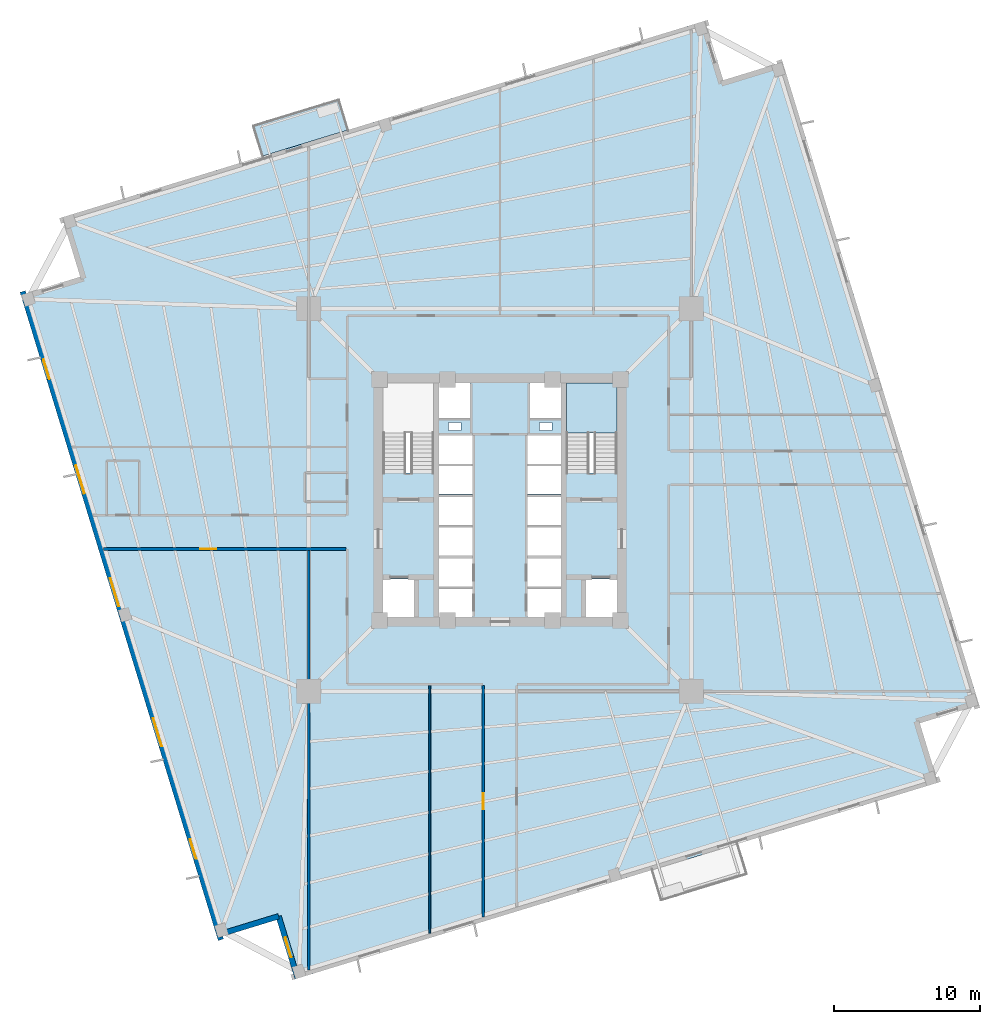
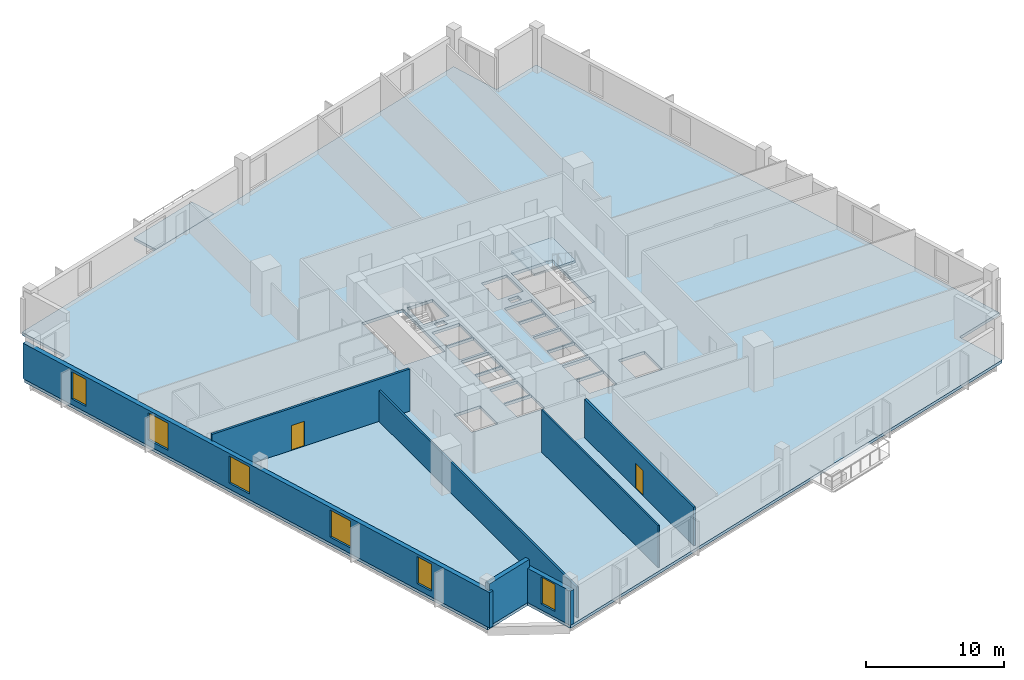
# One storey, part 2 of 8: 7 walls, 6 windows, 3 slabs, 2 doors, 8 openings, 1 element without a shape of its own.
"""IFC4 building model written with IfcOpenShell, lengths in metres."""

from ifc_helpers import new_model, si_unit, direction, frame, frame_2d, origin, place, context, subcontext, project, spatial, polyline, rectangle, outline, extrude, source, transform, mapped, material, layer, layer_set, type_object, element, fill, aggregate, save


model = new_model("IFC4")

# Units and contexts
model_context = context("Model", 3, precision=1e-05, world=origin(), true_north=direction((0.0, 1.0)))
body_context = subcontext(model_context, "Body", "Model", "MODEL_VIEW")
ifc_project = project(units=[si_unit("LENGTHUNIT", "METRE"), si_unit("AREAUNIT", "SQUARE_METRE"), si_unit("VOLUMEUNIT", "CUBIC_METRE"), si_unit("PLANEANGLEUNIT", "RADIAN"), si_unit("MASSUNIT", "GRAM", prefix="KILO"), si_unit("THERMODYNAMICTEMPERATUREUNIT", "KELVIN")], contexts=[model_context])

# Site, building, storey
site_placement = place(None, origin())
site = spatial("IfcSite", under=ifc_project, at=site_placement, CompositionType="ELEMENT")
building_placement = place(site_placement, origin())
building = spatial("IfcBuilding", under=site, at=building_placement, Name="Kosmvard Interchange Tower", CompositionType="ELEMENT")
storey_placement = place(building_placement, frame((0.0, 0.0, 123.199951171875)))
storey = spatial("IfcBuildingStorey", under=building, at=storey_placement, Name="L29", CompositionType="ELEMENT", Elevation=123.199951171875)

# Slab
ifc_material_1 = material(Name="Concrete C50/60", Category="concrete")
ifc_layer_1 = layer(ifc_material_1, 0.260009765625, Name="Concrete C50/60")
ifc_layer_set_1 = layer_set([ifc_layer_1], Name="Concrete C50/60")
slab_type_1 = type_object("IfcSlabType", Name="Mid-Rise Office Composite Slab 260 C50/60", PredefinedType="FLOOR", material=ifc_layer_set_1)
slab_1_placement = place(storey_placement, frame((0.0, 0.0, -0.260009765625)))
element("IfcSlab", 1, at=slab_1_placement, inside=storey, type_object=slab_type_1, Name="L29 Structural Floor Slab", PredefinedType="FLOOR", context=body_context, shape_type="SweptSolid", body=[
    extrude(outline(polyline([(-14.02783203125, -32.783935546875), (29.962158203125, -19.334716796875), (28.719482421875, -15.2705078125), (32.783935546875, -14.02783203125), (19.334716796875, 29.962158203125), (15.2705078125, 28.719482421875), (14.02783203125, 32.783935546875), (-29.962158203125, 19.334716796875), (-28.719482421875, 15.2705078125), (-32.783935546875, 14.02783203125), (-19.334716796875, -29.962158203125), (-15.2705078125, -28.719482421875), (-14.02783203125, -32.783935546875)]), holes=[polyline([(-8.0, 1.8349609375), (-4.5400390625, 1.8349609375), (-4.5400390625, 8.0), (-8.0, 8.0), (-8.0, 1.8349609375)]), polyline([(4.5400390625, 1.8349609375), (8.0, 1.8349609375), (8.0, 8.0), (4.5400390625, 8.0), (4.5400390625, 1.8349609375)]), polyline([(-8.0, -8.0), (-5.800048828125, -8.0), (-5.800048828125, -5.39990234375), (-8.0, -5.39990234375), (-8.0, -8.0)]), polyline([(5.800048828125, -8.0), (8.0, -8.0), (8.0, -5.39990234375), (5.800048828125, -5.39990234375), (5.800048828125, -8.0)]), polyline([(-4.179931640625, -8.0), (-1.8798828125, -8.0), (-1.8798828125, -6.06005859375), (-4.179931640625, -6.06005859375), (-4.179931640625, -8.0)]), polyline([(-4.179931640625, -5.93994140625), (-1.8798828125, -5.93994140625), (-1.8798828125, -4.0), (-4.179931640625, -4.0), (-4.179931640625, -5.93994140625)]), polyline([(1.8798828125, -8.0), (4.179931640625, -8.0), (4.179931640625, -6.06005859375), (1.8798828125, -6.06005859375), (1.8798828125, -8.0)]), polyline([(1.8798828125, -5.93994140625), (4.179931640625, -5.93994140625), (4.179931640625, -4.0), (1.8798828125, -4.0), (1.8798828125, -5.93994140625)]), polyline([(-4.179931640625, -3.800048828125), (-1.8798828125, -3.800048828125), (-1.8798828125, -1.860107421875), (-4.179931640625, -1.860107421875), (-4.179931640625, -3.800048828125)]), polyline([(-4.179931640625, -1.739990234375), (-1.8798828125, -1.739990234375), (-1.8798828125, 0.199951171875), (-4.179931640625, 0.199951171875), (-4.179931640625, -1.739990234375)]), polyline([(1.8798828125, -3.800048828125), (4.179931640625, -3.800048828125), (4.179931640625, -1.860107421875), (1.8798828125, -1.860107421875), (1.8798828125, -3.800048828125)]), polyline([(1.8798828125, -1.739990234375), (4.179931640625, -1.739990234375), (4.179931640625, 0.199951171875), (1.8798828125, 0.199951171875), (1.8798828125, -1.739990234375)]), polyline([(-4.179931640625, 0.39990234375), (-1.8798828125, 0.39990234375), (-1.8798828125, 2.340087890625), (-4.179931640625, 2.340087890625), (-4.179931640625, 0.39990234375)]), polyline([(-4.179931640625, 2.4599609375), (-1.8798828125, 2.4599609375), (-1.8798828125, 4.39990234375), (-4.179931640625, 4.39990234375), (-4.179931640625, 2.4599609375)]), polyline([(1.8798828125, 0.39990234375), (4.179931640625, 0.39990234375), (4.179931640625, 2.340087890625), (1.8798828125, 2.340087890625), (1.8798828125, 0.39990234375)]), polyline([(1.8798828125, 2.4599609375), (4.179931640625, 2.4599609375), (4.179931640625, 4.39990234375), (1.8798828125, 4.39990234375), (1.8798828125, 2.4599609375)]), polyline([(-4.179931640625, 5.60009765625), (-2.0400390625, 5.60009765625), (-2.0400390625, 8.0), (-4.179931640625, 8.0), (-4.179931640625, 5.60009765625)]), polyline([(2.0400390625, 5.60009765625), (4.179931640625, 5.60009765625), (4.179931640625, 8.0), (2.0400390625, 8.0), (2.0400390625, 5.60009765625)]), polyline([(-3.514892578125, 4.739990234375), (-2.6650390625, 4.739990234375), (-2.6650390625, 5.2900390625), (-3.514892578125, 5.2900390625), (-3.514892578125, 4.739990234375)]), polyline([(2.715087890625, 4.739990234375), (3.56494140625, 4.739990234375), (3.56494140625, 5.2900390625), (2.715087890625, 5.2900390625), (2.715087890625, 4.739990234375)])]), origin(), (0.0, 0.0, 1.0), 0.260009765625),
])

# Stair, slab
stair_type = type_object("IfcStairType", Name="Dog-Leg Core Exit Stair H4000 C50/60", PredefinedType="HALF_TURN_STAIR", material=ifc_material_1)
stair_placement = place(storey_placement, origin())
stair = element("IfcStair", 2, at=stair_placement, inside=storey, type_object=stair_type, Name="L29 Protected Exit Stair ST-2", PredefinedType="HALF_TURN_STAIR")
ifc_layer_2 = layer(ifc_material_1, 0.199951171875, Name="Concrete C50/60")
ifc_layer_set_2 = layer_set([ifc_layer_2], Name="Concrete C50/60")
slab_type_2 = type_object("IfcSlabType", Name="Stair Half-Landing Slab 200 C50/60", PredefinedType="LANDING", material=ifc_layer_set_2)
slab_2_placement = place(storey_placement, frame((0.0, 0.0, 1.800048828125)))
slab_2 = element("IfcSlab", 3, at=slab_2_placement, type_object=slab_type_2, Name="ST-2 landing 1", PredefinedType="LANDING", context=body_context, shape_type="SweptSolid", body=[
    extrude(outline(polyline([(8.0, 4.60009765625), (8.0, 8.0), (4.5400390625, 8.0), (4.5400390625, 4.60009765625), (8.0, 4.60009765625)])), origin(), (0.0, 0.0, 1.0), 0.199951171875),
])
aggregate(stair, [slab_2])

# Slab
ifc_layer_3 = layer(ifc_material_1, 0.22998046875, Name="Concrete C50/60")
ifc_layer_set_3 = layer_set([ifc_layer_3], Name="Concrete C50/60")
slab_type_3 = type_object("IfcSlabType", Name="Tree-Planter Cantilever Balcony Slab 230 C50/60", PredefinedType="FLOOR", material=ifc_layer_set_3)
slab_3_placement = place(storey_placement, frame((0.0, 0.0, -0.22998046875)))
element("IfcSlab", 4, at=slab_3_placement, inside=storey, type_object=slab_type_3, Name="L29 Outdoor Terrace Balcony Slab BAL-L29-NE", PredefinedType="FLOOR", context=body_context, shape_type="SweptSolid", body=[
    extrude(outline(polyline([(-16.286865234375, 23.515625), (-10.35791015625, 25.328369140625), (-11.001220703125, 27.43212890625), (-16.93017578125, 25.61962890625), (-16.286865234375, 23.515625)])), origin(), (0.0, 0.0, 1.0), 0.22998046875),
])

# Wall
ifc_material_2 = material(Name="Acoustic gypsum partition system")
ifc_layer_4 = layer(ifc_material_2, 0.14990234375, Name="Acoustic gypsum partition system")
ifc_layer_set_4 = layer_set([ifc_layer_4], Name="Acoustic gypsum partition system")
wall_type_1 = type_object("IfcWallType", Name="Acoustic Suite & Meeting Partition 150", PredefinedType="PARTITIONING", material=ifc_layer_set_4)
wall_1_placement = place(storey_placement, frame((-13.0810546875, -32.1650390625, 0.0), z_axis=(0.0, 0.0, 1.0), x_axis=(0.0, 1.0, 0.0)))
element("IfcWall", 5, at=wall_1_placement, inside=storey, type_object=wall_type_1, Name="L29 Room Partition 11.1", PredefinedType="PARTITIONING", context=body_context, shape_type="SweptSolid", body=[
    extrude(rectangle(XDim=28.719970703125, YDim=0.14990234375, at=frame_2d((14.35986328125, 0.0))), origin(), (0.0, 0.0, 1.0), 2.73193359375),
])

# Wall, opening, door
ifc_material_3 = material(Name="Fire-rated gypsum partition system")
ifc_layer_5 = layer(ifc_material_3, 0.179931640625, Name="Fire-rated gypsum partition system")
ifc_layer_set_5 = layer_set([ifc_layer_5], Name="Fire-rated gypsum partition system")
wall_type_2 = type_object("IfcWallType", Name="Corridor & Hotel Compartment Partition 180", PredefinedType="PARTITIONING", material=ifc_layer_set_5)
wall_2_placement = place(storey_placement, frame((-27.1416015625, -3.35009765625, 0.0), z_axis=(0.0, 0.0, 1.0), x_axis=(1.0, 0.0, 0.0)))
wall_2 = element("IfcWall", 6, at=wall_2_placement, inside=storey, type_object=wall_type_2, Name="L29 Corridor Wall SWS", PredefinedType="PARTITIONING", context=body_context, shape_type="SweptSolid", body=[
    extrude(rectangle(XDim=16.591552734375, YDim=0.179931640625, at=frame_2d((8.2958984375, 0.0))), origin(), (0.0, 0.0, 1.0), 3.739990234375),
])
opening_1_placement = place(wall_2_placement, frame((6.644775390625, 0.0, 0.0)))
opening_1 = element("IfcOpeningElement", 7, at=opening_1_placement, cuts=wall_2, Name="Opening L29-D13", PredefinedType="OPENING", context=body_context, shape_type="SweptSolid", body=[
    extrude(rectangle(XDim=1.10009765625, YDim=2.199951171875, at=frame_2d((0.550048828125, 1.10009765625))), frame((0.0, 0.10009765625, 0.0), z_axis=(0.0, -1.0, 0.0), x_axis=(1.0, 0.0, 0.0)), (0.0, 0.0, 1.0), 0.199951171875),
])
ifc_material_4 = material(Name="Engineered oak fire-rated timber", Category="wood")
door_type = type_object("IfcDoorType", Name="Office Suite Entrance Door 1100x2200 FD30S", OperationType="NOTDEFINED", PredefinedType="DOOR", material=ifc_material_4)
shared_shape_1 = source(origin(), body_context, "Body", "SweptSolid", [
    extrude(rectangle(XDim=1.10009765625, YDim=2.199951171875, at=frame_2d((0.550048828125, 1.10009765625))), frame((0.0, 0.02490234375, 0.0), z_axis=(0.0, -1.0, 0.0), x_axis=(1.0, 0.0, 0.0)), (0.0, 0.0, 1.0), 0.050048828125),
])
door_1_placement = place(opening_1_placement, frame((1.10009765625, 0.0, 0.0), z_axis=(0.0, 0.0, 1.0), x_axis=(-1.0, 0.0, 0.0)))
door_1 = element("IfcDoor", 8, at=door_1_placement, inside=storey, type_object=door_type, Name="L29 West Open Research Workplace Door", OperationType="SINGLE_SWING_LEFT", OverallHeight=2.199951171875, OverallWidth=1.10009765625, PredefinedType="DOOR", context=body_context, shape_type="MappedRepresentation", body=[
    mapped(shared_shape_1, transform((0.0, 0.0, 0.0), scale=1.0)),
])
fill(opening_1, door_1)

wall_3_placement = place(storey_placement, frame((-1.14990234375, -28.517333984375, 0.0), z_axis=(0.0, 0.0, 1.0), x_axis=(0.0, 1.0, 0.0)))
wall_3 = element("IfcWall", 9, at=wall_3_placement, inside=storey, type_object=wall_type_2, Name="L29 Corridor Wall SSW", PredefinedType="PARTITIONING", context=body_context, shape_type="SweptSolid", body=[
    extrude(rectangle(XDim=15.8173828125, YDim=0.179931640625, at=frame_2d((7.90869140625, 0.0))), origin(), (0.0, 0.0, 1.0), 3.41015625),
])
opening_2_placement = place(wall_3_placement, frame((7.358642578125, 0.0, 0.0)))
opening_2 = element("IfcOpeningElement", 10, at=opening_2_placement, cuts=wall_3, Name="Opening L29-D15", PredefinedType="OPENING", context=body_context, shape_type="SweptSolid", body=[
    extrude(rectangle(XDim=1.10009765625, YDim=2.199951171875, at=frame_2d((0.550048828125, 1.10009765625))), frame((0.0, 0.10009765625, 0.0), z_axis=(0.0, -1.0, 0.0), x_axis=(1.0, 0.0, 0.0)), (0.0, 0.0, 1.0), 0.199951171875),
])
door_2_placement = place(opening_2_placement, origin())
door_2 = element("IfcDoor", 11, at=door_2_placement, inside=storey, type_object=door_type, Name="L29 Quiet Reading Study Door", OperationType="SINGLE_SWING_LEFT", OverallHeight=2.199951171875, OverallWidth=1.10009765625, PredefinedType="DOOR", context=body_context, shape_type="MappedRepresentation", body=[
    mapped(shared_shape_1, transform((0.0, 0.0, 0.0), scale=1.0)),
])
fill(opening_2, door_2)

# Wall, openings, windows
ifc_material_5 = material(Name="Precast concrete C45/55", Category="concrete")
ifc_layer_6 = layer(ifc_material_5, 0.3798828125, Name="Precast concrete C45/55")
ifc_layer_set_6 = layer_set([ifc_layer_6], Name="Precast concrete C45/55")
wall_type_3 = type_object("IfcWallType", Name="Lower Tower Precast Pier Wall 380 C45/55", PredefinedType="STANDARD", material=ifc_layer_set_6)
wall_4_placement = place(storey_placement, frame((-32.65771484375, 14.26513671875, 0.0), z_axis=(0.0, 0.0, 1.0), x_axis=(0.292373127906, -0.956304320851, 0.0)))
wall_4 = element("IfcWall", 12, at=wall_4_placement, inside=storey, type_object=wall_type_3, Name="L29 Precast Facade Wall F-W", PredefinedType="STANDARD", context=body_context, shape_type="SweptSolid", body=[
    extrude(rectangle(XDim=46.380126953125, YDim=0.3798828125, at=frame_2d((23.18994140625, 0.0))), origin(), (0.0, 0.0, 1.0), 3.14013671875),
])
opening_3_placement = place(wall_4_placement, frame((4.865478515625, 0.0, 0.510009765625)))
opening_3 = element("IfcOpeningElement", 13, at=opening_3_placement, cuts=wall_4, Name="Opening L29-W15", PredefinedType="OPENING", context=body_context, shape_type="SweptSolid", body=[
    extrude(rectangle(XDim=1.39990234375, YDim=2.39990234375, at=frame_2d((0.699951171875, 1.199951171875))), frame((0.0, 0.199951171875, 0.0), z_axis=(0.0, -1.0, 0.0), x_axis=(1.0, 0.0, 0.0)), (0.0, 0.0, 1.0), 0.39990234375),
])
opening_4_placement = place(wall_4_placement, frame((12.4501953125, 0.0, 0.510009765625)))
opening_4 = element("IfcOpeningElement", 14, at=opening_4_placement, cuts=wall_4, Name="Opening L29-W16", PredefinedType="OPENING", context=body_context, shape_type="SweptSolid", body=[
    extrude(rectangle(XDim=2.0, YDim=2.39990234375, at=frame_2d((1.0, 1.199951171875))), frame((0.0, 0.199951171875, 0.0), z_axis=(0.0, -1.0, 0.0), x_axis=(1.0, 0.0, 0.0)), (0.0, 0.0, 1.0), 0.39990234375),
])
opening_5_placement = place(wall_4_placement, frame((20.512451171875, 0.0, 0.510009765625)))
opening_5 = element("IfcOpeningElement", 15, at=opening_5_placement, cuts=wall_4, Name="Opening L29-W17", PredefinedType="OPENING", context=body_context, shape_type="SweptSolid", body=[
    extrude(rectangle(XDim=2.0, YDim=2.39990234375, at=frame_2d((1.0, 1.199951171875))), frame((0.0, 0.199951171875, 0.0), z_axis=(0.0, -1.0, 0.0), x_axis=(1.0, 0.0, 0.0)), (0.0, 0.0, 1.0), 0.39990234375),
])
opening_6_placement = place(wall_4_placement, frame((30.538330078125, 0.0, 0.510009765625)))
opening_6 = element("IfcOpeningElement", 16, at=opening_6_placement, cuts=wall_4, Name="Opening L29-W18", PredefinedType="OPENING", context=body_context, shape_type="SweptSolid", body=[
    extrude(rectangle(XDim=2.0, YDim=2.39990234375, at=frame_2d((1.0, 1.199951171875))), frame((0.0, 0.199951171875, 0.0), z_axis=(0.0, -1.0, 0.0), x_axis=(1.0, 0.0, 0.0)), (0.0, 0.0, 1.0), 0.39990234375),
])
opening_7_placement = place(wall_4_placement, frame((39.186767578125, 0.0, 0.510009765625)))
opening_7 = element("IfcOpeningElement", 17, at=opening_7_placement, cuts=wall_4, Name="Opening L29-W19", PredefinedType="OPENING", context=body_context, shape_type="SweptSolid", body=[
    extrude(rectangle(XDim=1.39990234375, YDim=2.39990234375, at=frame_2d((0.699951171875, 1.199951171875))), frame((0.0, 0.199951171875, 0.0), z_axis=(0.0, -1.0, 0.0), x_axis=(1.0, 0.0, 0.0)), (0.0, 0.0, 1.0), 0.39990234375),
])
ifc_material_6 = material(Name="Low-E solar-control double glazing", Category="glass")
window_type_1 = type_object("IfcWindowType", Name="Notched Corner Feature Window 1400x2400", PartitioningType="SINGLE_PANEL", PredefinedType="WINDOW", material=ifc_material_6)
shared_shape_2 = source(origin(), body_context, "Body", "SweptSolid", [
    extrude(rectangle(XDim=1.39990234375, YDim=2.39990234375, at=frame_2d((0.699951171875, 1.199951171875))), frame((0.0, 0.030029296875, 0.0), z_axis=(0.0, -1.0, 0.0), x_axis=(1.0, 0.0, 0.0)), (0.0, 0.0, 1.0), 0.06005859375),
])
window_1_placement = place(opening_3_placement, origin())
window_1 = element("IfcWindow", 18, at=window_1_placement, inside=storey, type_object=window_type_1, Name="L29 Facade Punched Window 15", OverallHeight=2.39990234375, OverallWidth=1.39990234375, PartitioningType="SINGLE_PANEL", PredefinedType="WINDOW", context=body_context, shape_type="MappedRepresentation", body=[
    mapped(shared_shape_2, transform((0.0, 0.0, 0.0), scale=1.0)),
])
fill(opening_3, window_1)
window_2_placement = place(opening_7_placement, origin())
window_2 = element("IfcWindow", 19, at=window_2_placement, inside=storey, type_object=window_type_1, Name="L29 Facade Punched Window 19", OverallHeight=2.39990234375, OverallWidth=1.39990234375, PartitioningType="SINGLE_PANEL", PredefinedType="WINDOW", context=body_context, shape_type="MappedRepresentation", body=[
    mapped(shared_shape_2, transform((0.0, 0.0, 0.0), scale=1.0)),
])
fill(opening_7, window_2)
window_type_2 = type_object("IfcWindowType", Name="Zone 2 Office Punched Window 2000x2400", PartitioningType="SINGLE_PANEL", PredefinedType="WINDOW", material=ifc_material_6)
shared_shape_3 = source(origin(), body_context, "Body", "SweptSolid", [
    extrude(rectangle(XDim=2.0, YDim=2.39990234375, at=frame_2d((1.0, 1.199951171875))), frame((0.0, 0.030029296875, 0.0), z_axis=(0.0, -1.0, 0.0), x_axis=(1.0, 0.0, 0.0)), (0.0, 0.0, 1.0), 0.06005859375),
])
window_3_placement = place(opening_4_placement, origin())
window_3 = element("IfcWindow", 20, at=window_3_placement, inside=storey, type_object=window_type_2, Name="L29 Facade Punched Window 16", OverallHeight=2.39990234375, OverallWidth=2.0, PartitioningType="SINGLE_PANEL", PredefinedType="WINDOW", context=body_context, shape_type="MappedRepresentation", body=[
    mapped(shared_shape_3, transform((0.0, 0.0, 0.0), scale=1.0)),
])
fill(opening_4, window_3)
window_4_placement = place(opening_5_placement, origin())
window_4 = element("IfcWindow", 21, at=window_4_placement, inside=storey, type_object=window_type_2, Name="L29 Facade Punched Window 17", OverallHeight=2.39990234375, OverallWidth=2.0, PartitioningType="SINGLE_PANEL", PredefinedType="WINDOW", context=body_context, shape_type="MappedRepresentation", body=[
    mapped(shared_shape_3, transform((0.0, 0.0, 0.0), scale=1.0)),
])
fill(opening_5, window_4)
window_5_placement = place(opening_6_placement, origin())
window_5 = element("IfcWindow", 22, at=window_5_placement, inside=storey, type_object=window_type_2, Name="L29 Facade Punched Window 18", OverallHeight=2.39990234375, OverallWidth=2.0, PartitioningType="SINGLE_PANEL", PredefinedType="WINDOW", context=body_context, shape_type="MappedRepresentation", body=[
    mapped(shared_shape_3, transform((0.0, 0.0, 0.0), scale=1.0)),
])
fill(opening_6, window_5)

# Wall
wall_5_placement = place(storey_placement, frame((-19.20849609375, -29.724853515625, 0.0), z_axis=(0.0, 0.0, 1.0), x_axis=(0.956312764915, 0.292345507338, 0.0)))
element("IfcWall", 23, at=wall_5_placement, inside=storey, type_object=wall_type_3, Name="L29 Precast Facade Wall N-SW1", PredefinedType="STANDARD", context=body_context, shape_type="SweptSolid", body=[
    extrude(rectangle(XDim=4.249755859375, YDim=0.3798828125, at=frame_2d((2.125, 0.0))), origin(), (0.0, 0.0, 1.0), 3.739990234375),
])

# Wall, opening, window
wall_6_placement = place(storey_placement, frame((-15.144287109375, -28.482421875, 0.0), z_axis=(0.0, 0.0, 1.0), x_axis=(0.292373601522, -0.956304176051, 0.0)))
wall_6 = element("IfcWall", 24, at=wall_6_placement, inside=storey, type_object=wall_type_3, Name="L29 Precast Facade Wall N-SW2", PredefinedType="STANDARD", context=body_context, shape_type="SweptSolid", body=[
    extrude(rectangle(XDim=4.43994140625, YDim=0.3798828125, at=frame_2d((2.219970703125, 0.0))), origin(), (0.0, 0.0, 1.0), 3.0400390625),
])
opening_8_placement = place(wall_6_placement, frame((1.52001953125, 0.0, 0.510009765625)))
opening_8 = element("IfcOpeningElement", 25, at=opening_8_placement, cuts=wall_6, Name="Opening L29-W23", PredefinedType="OPENING", context=body_context, shape_type="SweptSolid", body=[
    extrude(rectangle(XDim=1.39990234375, YDim=2.39990234375, at=frame_2d((0.699951171875, 1.199951171875))), frame((0.0, 0.199951171875, 0.0), z_axis=(0.0, -1.0, 0.0), x_axis=(1.0, 0.0, 0.0)), (0.0, 0.0, 1.0), 0.39990234375),
])
window_6_placement = place(opening_8_placement, origin())
window_6 = element("IfcWindow", 26, at=window_6_placement, inside=storey, type_object=window_type_1, Name="L29 Corner Notch Window 23", OverallHeight=2.39990234375, OverallWidth=1.39990234375, PartitioningType="SINGLE_PANEL", PredefinedType="WINDOW", context=body_context, shape_type="MappedRepresentation", body=[
    mapped(shared_shape_2, transform((0.0, 0.0, 0.0), scale=1.0)),
])
fill(opening_8, window_6)

# Wall
ifc_material_7 = material(Name="Gypsum board partition system")
ifc_layer_7 = layer(ifc_material_7, 0.1201171875, Name="Gypsum board partition system")
ifc_layer_set_7 = layer_set([ifc_layer_7], Name="Gypsum board partition system")
wall_type_4 = type_object("IfcWallType", Name="Office Cellular Partition 120", PredefinedType="PARTITIONING", material=ifc_layer_set_7)
wall_7_placement = place(storey_placement, frame((-4.800048828125, -29.63330078125, 0.0), z_axis=(0.0, 0.0, 1.0), x_axis=(0.0, 1.0, 0.0)))
element("IfcWall", 27, at=wall_7_placement, inside=storey, type_object=wall_type_4, Name="L29 Room Partition 12.1", PredefinedType="PARTITIONING", context=body_context, shape_type="SweptSolid", body=[
    extrude(rectangle(XDim=16.938232421875, YDim=0.1201171875, at=frame_2d((8.46923828125, 0.0))), origin(), (0.0, 0.0, 1.0), 3.739990234375),
])

save(model, "model.ifc")
